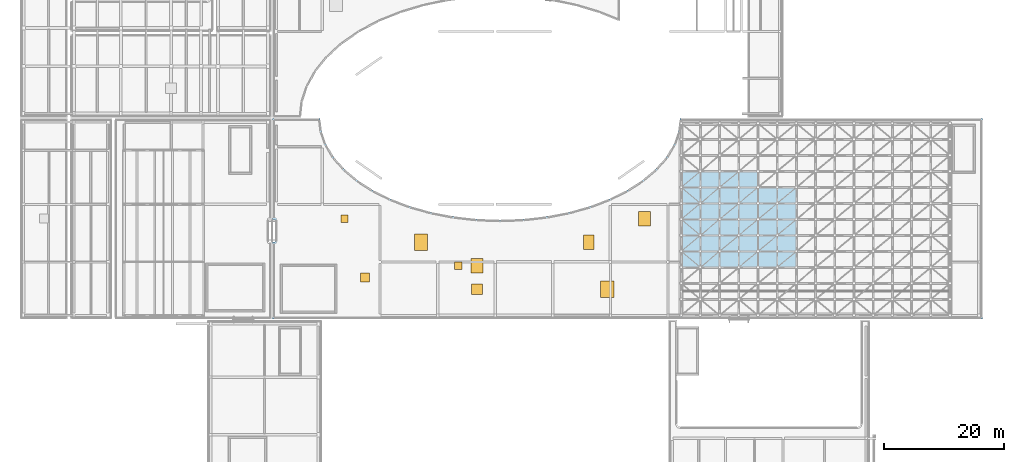
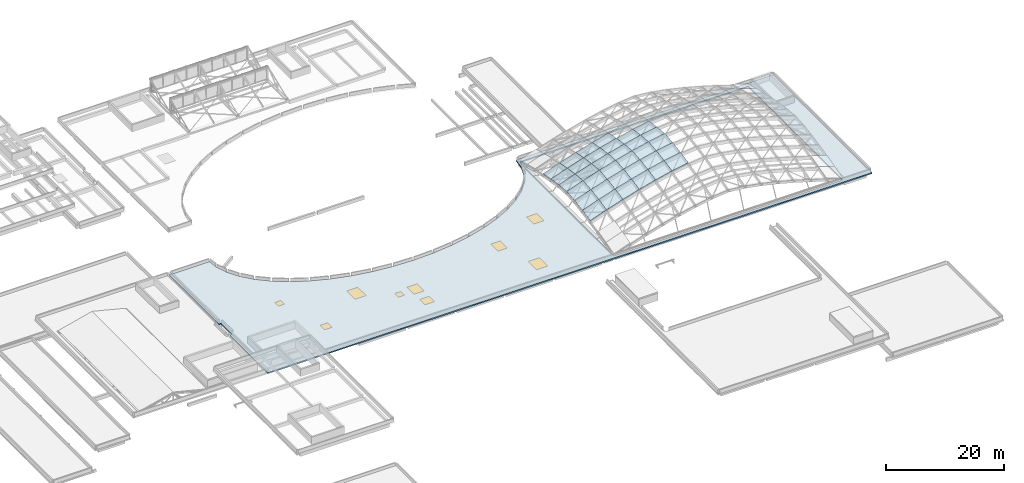
"""IFC4 building model written with IfcOpenShell, lengths in metres."""

from ifc_helpers import new_model, si_unit, direction, frame, origin, origin_2d, place, context, subcontext, project, spatial, polyline, rectangle, outline, extrude, material, layer, layer_set, type_object, element, fill, aggregate, save


model = new_model("IFC4")

# Units and contexts
model_context = context("Model", 3, precision=1e-05, world=origin(), true_north=direction((0.0, 1.0)))
body_context = subcontext(model_context, "Body", "Model", "MODEL_VIEW")
ifc_project = project(units=[si_unit("LENGTHUNIT", "METRE"), si_unit("AREAUNIT", "SQUARE_METRE"), si_unit("VOLUMEUNIT", "CUBIC_METRE"), si_unit("PLANEANGLEUNIT", "RADIAN"), si_unit("MASSUNIT", "GRAM", prefix="KILO")], contexts=[model_context])

# Site, building, storey
site_placement = place(None, origin())
site = spatial("IfcSite", under=ifc_project, at=site_placement, CompositionType="ELEMENT")
building_placement = place(site_placement, origin())
building = spatial("IfcBuilding", under=site, at=building_placement, Name="Mzevani Central Library", CompositionType="ELEMENT")
storey_1_placement = place(building_placement, frame((0.0, 0.0, 26.699951171875)))
storey_1 = spatial("IfcBuildingStorey", under=building, at=storey_1_placement, Name="RF", CompositionType="ELEMENT", Elevation=26.699951171875)

# Slab, openings
ifc_material_1 = material(Name="Precast concrete C40/50", Category="concrete")
ifc_layer_1 = layer(ifc_material_1, 0.260009765625, Name="Flat Thermal Roof Slab 260")
ifc_layer_set_1 = layer_set([ifc_layer_1], Name="Precast concrete C40/50")
slab_type_1 = type_object("IfcSlabType", Name="Flat Thermal Roof Slab 260", PredefinedType="ROOF", material=ifc_layer_set_1)
slab_1_placement = place(storey_1_placement, frame((0.0, 0.0, -13.159912109375)))
slab_1 = element("IfcSlab", 1, at=slab_1_placement, inside=storey_1, type_object=slab_type_1, Name="RF V1 Insulated Concrete Roof (L02 Top 1)", PredefinedType="ROOF", context=body_context, shape_type="SweptSolid", body=[
    extrude(outline(polyline([(55.022216796875, 71.596923828125), (56.28369140625, 69.48974609375), (58.019287109375, 67.493896484375), (60.199462890625, 65.6435546875), (62.786865234375, 63.970458984375), (65.7373046875, 62.503173828125), (69.0, 61.266845703125), (72.51953125, 60.28271484375), (76.2353515625, 59.5673828125), (80.084228515625, 59.13330078125), (84.0, 58.98779296875), (87.915771484375, 59.13330078125), (91.7646484375, 59.5673828125), (95.48046875, 60.28271484375), (99.0, 61.266845703125), (102.2626953125, 62.503173828125), (105.213134765625, 63.970458984375), (107.800537109375, 65.6435546875), (109.980712890625, 67.493896484375), (111.71630859375, 69.48974609375), (112.977783203125, 71.596923828125), (113.743408203125, 73.779296875), (113.98828125, 75.89990234375), (164.39990234375, 75.89990234375), (164.39990234375, 42.5), (46.10009765625, 42.5), (46.10009765625, 55.320068359375), (46.52001953125, 55.320068359375), (46.52001953125, 59.080078125), (46.10009765625, 59.080078125), (46.10009765625, 75.89990234375), (54.01171875, 75.89990234375), (54.256591796875, 73.779296875), (55.022216796875, 71.596923828125)]), holes=[polyline([(159.0, 43.10009765625), (159.0, 75.10009765625), (114.199951171875, 75.10009765625), (114.199951171875, 43.10009765625), (159.0, 43.10009765625)])]), origin(), (0.0, 0.0, 1.0), 0.260009765625),
])
opening_1_placement = place(slab_1_placement, frame((58.105712890625, 59.20751953125, 0.0)))
opening_1 = element("IfcOpeningElement", 2, at=opening_1_placement, cuts=slab_1, Name="Opening RH-01", PredefinedType="OPENING", context=body_context, shape_type="SweptSolid", body=[
    extrude(rectangle(XDim=1.199951171875, YDim=1.199951171875, at=origin_2d()), origin(), (0.0, 0.0, 1.0), 0.260009765625),
])
opening_2_placement = place(slab_1_placement, frame((80.14990234375, 51.371337890625, 0.0)))
opening_2 = element("IfcOpeningElement", 3, at=opening_2_placement, cuts=slab_1, Name="Opening SK-04", PredefinedType="OPENING", context=body_context, shape_type="SweptSolid", body=[
    extrude(rectangle(XDim=2.0, YDim=2.39990234375, at=origin_2d()), origin(), (0.0, 0.0, 1.0), 0.260009765625),
])
opening_3_placement = place(slab_1_placement, frame((101.885009765625, 47.45703125, 0.0)))
opening_3 = element("IfcOpeningElement", 4, at=opening_3_placement, cuts=slab_1, Name="Opening SK-05", PredefinedType="OPENING", context=body_context, shape_type="SweptSolid", body=[
    extrude(rectangle(XDim=2.199951171875, YDim=2.800048828125, at=origin_2d()), origin(), (0.0, 0.0, 1.0), 0.260009765625),
])
opening_4_placement = place(slab_1_placement, frame((77.044921875, 51.371337890625, 0.0)))
opening_4 = element("IfcOpeningElement", 5, at=opening_4_placement, cuts=slab_1, Name="Opening RH-01", PredefinedType="OPENING", context=body_context, shape_type="SweptSolid", body=[
    extrude(rectangle(XDim=1.199951171875, YDim=1.199951171875, at=origin_2d()), origin(), (0.0, 0.0, 1.0), 0.260009765625),
])
opening_5_placement = place(slab_1_placement, frame((61.52001953125, 49.414306640625, 0.0)))
opening_5 = element("IfcOpeningElement", 6, at=opening_5_placement, cuts=slab_1, Name="Opening SK-01", PredefinedType="OPENING", context=body_context, shape_type="SweptSolid", body=[
    extrude(rectangle(XDim=1.5, YDim=1.5, at=origin_2d()), origin(), (0.0, 0.0, 1.0), 0.260009765625),
])
opening_6_placement = place(slab_1_placement, frame((80.14990234375, 47.45703125, 0.0)))
opening_6 = element("IfcOpeningElement", 7, at=opening_6_placement, cuts=slab_1, Name="Opening SK-02", PredefinedType="OPENING", context=body_context, shape_type="SweptSolid", body=[
    extrude(rectangle(XDim=1.800048828125, YDim=1.800048828125, at=origin_2d()), origin(), (0.0, 0.0, 1.0), 0.260009765625),
])
opening_7_placement = place(slab_1_placement, frame((98.780029296875, 55.28564453125, 0.0)))
opening_7 = element("IfcOpeningElement", 8, at=opening_7_placement, cuts=slab_1, Name="Opening SK-03", PredefinedType="OPENING", context=body_context, shape_type="SweptSolid", body=[
    extrude(rectangle(XDim=1.800048828125, YDim=2.39990234375, at=origin_2d()), origin(), (0.0, 0.0, 1.0), 0.260009765625),
])
opening_8_placement = place(slab_1_placement, frame((108.094970703125, 59.199951171875, 0.0)))
opening_8 = element("IfcOpeningElement", 9, at=opening_8_placement, cuts=slab_1, Name="Opening SK-04", PredefinedType="OPENING", context=body_context, shape_type="SweptSolid", body=[
    extrude(rectangle(XDim=2.0, YDim=2.39990234375, at=origin_2d()), origin(), (0.0, 0.0, 1.0), 0.260009765625),
])
opening_9_placement = place(slab_1_placement, frame((70.8349609375, 55.28564453125, 0.0)))
opening_9 = element("IfcOpeningElement", 10, at=opening_9_placement, cuts=slab_1, Name="Opening SK-05", PredefinedType="OPENING", context=body_context, shape_type="SweptSolid", body=[
    extrude(rectangle(XDim=2.199951171875, YDim=2.800048828125, at=origin_2d()), origin(), (0.0, 0.0, 1.0), 0.260009765625),
])

# Storey
storey_2_placement = place(building_placement, frame((0.0, 0.0, 9.60009765625)))
storey_2 = spatial("IfcBuildingStorey", under=building, at=storey_2_placement, Name="L02", CompositionType="ELEMENT", Elevation=9.60009765625)

# Window
ifc_material_2 = material(Name="Low-E triple glazing glass", Category="glass")
window_type_1 = type_object("IfcWindowType", Name="Atrium Skylight 1800x1800", PartitioningType="SINGLE_PANEL", PredefinedType="SKYLIGHT", material=ifc_material_2)
window_1_placement = place(opening_6_placement, frame((0.0, 0.0, 0.2099609375)))
window_1 = element("IfcWindow", 11, at=window_1_placement, inside=storey_2, type_object=window_type_1, Name="L02 V1 SK-02 Roof Skylight (15)", OverallHeight=1.800048828125, OverallWidth=1.800048828125, PartitioningType="SINGLE_PANEL", PredefinedType="SKYLIGHT", context=body_context, shape_type="SweptSolid", body=[
    extrude(rectangle(XDim=1.800048828125, YDim=1.800048828125, at=origin_2d()), origin(), (0.0, 0.0, 1.0), 0.050048828125),
])

fill(opening_6, window_1)

window_type_2 = type_object("IfcWindowType", Name="Atrium Skylight 1800x2400", PartitioningType="SINGLE_PANEL", PredefinedType="SKYLIGHT", material=ifc_material_2)
window_2_placement = place(opening_7_placement, frame((0.0, 0.0, 0.2099609375)))
window_2 = element("IfcWindow", 12, at=window_2_placement, inside=storey_2, type_object=window_type_2, Name="L02 V1 SK-03 Roof Skylight (16)", OverallHeight=2.39990234375, OverallWidth=1.800048828125, PartitioningType="SINGLE_PANEL", PredefinedType="SKYLIGHT", context=body_context, shape_type="SweptSolid", body=[
    extrude(rectangle(XDim=1.800048828125, YDim=2.39990234375, at=origin_2d()), origin(), (0.0, 0.0, 1.0), 0.050048828125),
])

fill(opening_7, window_2)

window_type_3 = type_object("IfcWindowType", Name="Reading Northlight 2000x2400", PartitioningType="SINGLE_PANEL", PredefinedType="SKYLIGHT", material=ifc_material_2)
window_3_placement = place(opening_2_placement, frame((0.0, 0.0, 0.2099609375)))
window_3 = element("IfcWindow", 13, at=window_3_placement, inside=storey_2, type_object=window_type_3, Name="L02 V1 SK-04 Roof Skylight (11)", OverallHeight=2.39990234375, OverallWidth=2.0, PartitioningType="SINGLE_PANEL", PredefinedType="SKYLIGHT", context=body_context, shape_type="SweptSolid", body=[
    extrude(rectangle(XDim=2.0, YDim=2.39990234375, at=origin_2d()), origin(), (0.0, 0.0, 1.0), 0.050048828125),
])

fill(opening_2, window_3)

window_4_placement = place(opening_8_placement, frame((0.0, 0.0, 0.2099609375)))
window_4 = element("IfcWindow", 14, at=window_4_placement, inside=storey_2, type_object=window_type_3, Name="L02 V1 SK-04 Roof Skylight (17)", OverallHeight=2.39990234375, OverallWidth=2.0, PartitioningType="SINGLE_PANEL", PredefinedType="SKYLIGHT", context=body_context, shape_type="SweptSolid", body=[
    extrude(rectangle(XDim=2.0, YDim=2.39990234375, at=origin_2d()), origin(), (0.0, 0.0, 1.0), 0.050048828125),
])

fill(opening_8, window_4)

window_type_4 = type_object("IfcWindowType", Name="Reading Northlight 2200x2800", PartitioningType="SINGLE_PANEL", PredefinedType="SKYLIGHT", material=ifc_material_2)
window_5_placement = place(opening_3_placement, frame((0.0, 0.0, 0.2099609375)))
window_5 = element("IfcWindow", 15, at=window_5_placement, inside=storey_2, type_object=window_type_4, Name="L02 V1 SK-05 Roof Skylight (12)", OverallHeight=2.800048828125, OverallWidth=2.199951171875, PartitioningType="SINGLE_PANEL", PredefinedType="SKYLIGHT", context=body_context, shape_type="SweptSolid", body=[
    extrude(rectangle(XDim=2.199951171875, YDim=2.800048828125, at=origin_2d()), origin(), (0.0, 0.0, 1.0), 0.050048828125),
])

fill(opening_3, window_5)

window_6_placement = place(opening_9_placement, frame((0.0, 0.0, 0.2099609375)))
window_6 = element("IfcWindow", 16, at=window_6_placement, inside=storey_2, type_object=window_type_4, Name="L02 V1 SK-05 Roof Skylight (18)", OverallHeight=2.800048828125, OverallWidth=2.199951171875, PartitioningType="SINGLE_PANEL", PredefinedType="SKYLIGHT", context=body_context, shape_type="SweptSolid", body=[
    extrude(rectangle(XDim=2.199951171875, YDim=2.800048828125, at=origin_2d()), origin(), (0.0, 0.0, 1.0), 0.050048828125),
])

fill(opening_9, window_6)

window_type_5 = type_object("IfcWindowType", Name="Roof Access Hatch 1200x1200", PartitioningType="SINGLE_PANEL", PredefinedType="SKYLIGHT", material=ifc_material_2)
window_7_placement = place(opening_1_placement, frame((0.0, 0.0, 0.2099609375)))
window_7 = element("IfcWindow", 17, at=window_7_placement, inside=storey_2, type_object=window_type_5, Name="L02 V1 RH-01 Roof Hatch / Skylight (1)", OverallHeight=1.199951171875, OverallWidth=1.199951171875, PartitioningType="SINGLE_PANEL", PredefinedType="SKYLIGHT", context=body_context, shape_type="SweptSolid", body=[
    extrude(rectangle(XDim=1.199951171875, YDim=1.199951171875, at=origin_2d()), origin(), (0.0, 0.0, 1.0), 0.050048828125),
])

fill(opening_1, window_7)

window_8_placement = place(opening_4_placement, frame((0.0, 0.0, 0.2099609375)))
window_8 = element("IfcWindow", 18, at=window_8_placement, inside=storey_2, type_object=window_type_5, Name="L02 V1 RH-01 Roof Skylight (13)", OverallHeight=1.199951171875, OverallWidth=1.199951171875, PartitioningType="SINGLE_PANEL", PredefinedType="SKYLIGHT", context=body_context, shape_type="SweptSolid", body=[
    extrude(rectangle(XDim=1.199951171875, YDim=1.199951171875, at=origin_2d()), origin(), (0.0, 0.0, 1.0), 0.050048828125),
])

fill(opening_4, window_8)

window_type_6 = type_object("IfcWindowType", Name="Smoke Vent Skylight 1500x1500", PartitioningType="SINGLE_PANEL", PredefinedType="SKYLIGHT", material=ifc_material_2)
window_9_placement = place(opening_5_placement, frame((0.0, 0.0, 0.2099609375)))
window_9 = element("IfcWindow", 19, at=window_9_placement, inside=storey_2, type_object=window_type_6, Name="L02 V1 SK-01 Roof Skylight (14)", OverallHeight=1.5, OverallWidth=1.5, PartitioningType="SINGLE_PANEL", PredefinedType="SKYLIGHT", context=body_context, shape_type="SweptSolid", body=[
    extrude(rectangle(XDim=1.5, YDim=1.5, at=origin_2d()), origin(), (0.0, 0.0, 1.0), 0.050048828125),
])

fill(opening_5, window_9)

# Roof, slabs
ifc_material_3 = material(Name="Glulam GL28h", Category="wood")
roof_type = type_object("IfcRoofType", Name="Translational Gridshell Pavilion Roof", PredefinedType="PAVILION_ROOF", material=ifc_material_3)
roof_placement = place(storey_1_placement, origin())
roof = element("IfcRoof", 20, at=roof_placement, inside=storey_1, type_object=roof_type, Name="RF Volume V1 Main Reading Hall Translational Gridshell Roof", PredefinedType="PAVILION_ROOF")
ifc_layer_2 = layer(ifc_material_3, 0.179931640625, Name="Gridshell Roof Quad Slab 180")
ifc_layer_set_2 = layer_set([ifc_layer_2], Name="Glulam GL28h")
slab_type_2 = type_object("IfcSlabType", Name="Gridshell Roof Quad Slab 180", PredefinedType="ROOF", material=ifc_layer_set_2)
slab_2_placement = place(storey_1_placement, frame((114.199951171875, 51.10009765625, -10.47119140625), z_axis=(-0.325326246009, -0.181205348817, 0.928077289463), x_axis=(0.943700346003, -6.054259e-06, 0.330801537053)))
slab_2 = element("IfcSlab", 21, at=slab_2_placement, type_object=slab_type_2, Name="RF Gridshell Roof Panel 1.4", PredefinedType="ROOF", context=body_context, shape_type="SweptSolid", body=[
    extrude(outline(polyline([(0.0, 0.0), (3.390816087960579, 2.7755575615628914e-17), (3.563065490773048, 2.7114121429849023), (0.17216864071846177, 2.7113703935903746), (0.0, 0.0)])), origin(), (0.0, 0.0, -1.0), 0.179931640625),
])
slab_3_placement = place(storey_1_placement, frame((114.199951171875, 53.7666015625, -9.95068359375), z_axis=(-0.327333892519, -0.144434945204, 0.933804620578), x_axis=(0.943699742543, 4.855386e-06, 0.3308032586)))
slab_3 = element("IfcSlab", 22, at=slab_3_placement, type_object=slab_type_2, Name="RF Gridshell Roof Panel 1.5", PredefinedType="ROOF", context=body_context, shape_type="SweptSolid", body=[
    extrude(outline(polyline([(0.0, 0.0), (3.3908968502881685, 0.0), (3.5273176850437755, 2.6949897792405126), (0.1365015972699139, 2.69502305600596), (0.0, 0.0)])), origin(), (0.0, 0.0, -1.0), 0.179931640625),
])
slab_4_placement = place(storey_1_placement, frame((114.199951171875, 56.433349609375, -9.5380859375), z_axis=(-0.329633974953, -0.083981253219, 0.94036620083), x_axis=(0.94370005626, -2.843054e-06, 0.330802363665)))
slab_4 = element("IfcSlab", 23, at=slab_4_placement, type_object=slab_type_2, Name="RF Gridshell Roof Panel 1.6", PredefinedType="ROOF", context=body_context, shape_type="SweptSolid", body=[
    extrude(outline(polyline([(0.0, 0.0), (3.3908160879101263, 0.0), (3.469632506917219, 2.67621207278705), (0.07873565671127615, 2.6761927236536143), (0.0, 0.0)])), origin(), (0.0, 0.0, -1.0), 0.179931640625),
])
slab_5_placement = place(storey_1_placement, frame((114.199951171875, 59.10009765625, -9.300048828125), z_axis=(-0.329633762084, 0.083988888164, 0.940365593564), x_axis=(0.943699897721, -2.843243e-06, 0.33080281594)))
slab_5 = element("IfcSlab", 24, at=slab_5_placement, type_object=slab_type_2, Name="RF Gridshell Roof Panel 1.7", PredefinedType="ROOF", context=body_context, shape_type="SweptSolid", body=[
    extrude(outline(polyline([(0.0, 0.0), (3.390896850261151, 2.7755575615628914e-17), (3.3120651602557194, 2.675968345781028), (-0.07875092759919575, 2.6759489953494016), (0.0, 0.0)])), origin(), (0.0, 0.0, -1.0), 0.179931640625),
])
slab_6_placement = place(storey_1_placement, frame((114.199951171875, 61.7666015625, -9.5380859375), z_axis=(-0.327333892519, 0.144434945204, 0.933804620578), x_axis=(0.943700211441, 4.855502e-06, 0.330801920948)))
slab_6 = element("IfcSlab", 25, at=slab_6_placement, type_object=slab_type_2, Name="RF Gridshell Roof Panel 1.8", PredefinedType="ROOF", context=body_context, shape_type="SweptSolid", body=[
    extrude(outline(polyline([(0.0, 0.0), (3.3908160879371474, -2.7755575615628914e-17), (3.254421701258557, 2.694991117916498), (-0.13647514886632253, 2.69502439547453), (0.0, 0.0)])), origin(), (0.0, 0.0, -1.0), 0.179931640625),
])
slab_7_placement = place(storey_1_placement, frame((114.199951171875, 64.433349609375, -9.95068359375), z_axis=(-0.325327223924, 0.181189304123, 0.92808007922), x_axis=(0.943699608036, -6.053597e-06, 0.330803642295)))
slab_7 = element("IfcSlab", 26, at=slab_7_placement, type_object=slab_type_2, Name="RF Gridshell Roof Panel 1.9", PredefinedType="ROOF", context=body_context, shape_type="SweptSolid", body=[
    extrude(outline(polyline([(0.0, 0.0), (3.390896850311588, 2.7755575615628914e-17), (3.218614064068146, 2.7116501195627123), (-0.17220202363545967, 2.7116083748591278), (0.0, 0.0)])), origin(), (0.0, 0.0, -1.0), 0.179931640625),
])
slab_8_placement = place(storey_1_placement, frame((117.39990234375, 51.10009765625, -9.349609375), z_axis=(-0.303982040755, -0.182561305965, 0.935022079131), x_axis=(0.951003851559, 6.192154e-06, 0.309179032734)))
slab_8 = element("IfcSlab", 27, at=slab_8_placement, type_object=slab_type_2, Name="RF Gridshell Roof Panel 2.4", PredefinedType="ROOF", context=body_context, shape_type="SweptSolid", body=[
    extrude(outline(polyline([(0.0, 0.0), (3.3651073056012373, 2.7755575615628914e-17), (3.5260539190027864, 2.7120596673980155), (0.16102209656383762, 2.7121020537805385), (0.0, 0.0)])), origin(), (0.0, 0.0, -1.0), 0.179931640625),
])
slab_9_placement = place(storey_1_placement, frame((117.39990234375, 53.7666015625, -8.828857421875), z_axis=(-0.305886413838, -0.145529283219, 0.940879763602), x_axis=(0.951004432947, -4.967129e-06, 0.309177244457)))
slab_9 = element("IfcSlab", 28, at=slab_9_placement, type_object=slab_type_2, Name="RF Gridshell Roof Panel 2.5", PredefinedType="ROOF", context=body_context, shape_type="SweptSolid", body=[
    extrude(outline(polyline([(0.0, 0.0), (3.365031822681572, 5.551115123125783e-17), (3.4925843830299907, 2.6954614266599815), (0.12747707762272137, 2.695427637472276), (0.0, 0.0)])), origin(), (0.0, 0.0, -1.0), 0.179931640625),
])
slab_10_placement = place(storey_1_placement, frame((117.39990234375, 56.433349609375, -8.41650390625), z_axis=(-0.308068835331, -0.084626629993, 0.947592700581), x_axis=(0.951004130671, 2.908974e-06, 0.30917817426)))
slab_10 = element("IfcSlab", 29, at=slab_10_placement, type_object=slab_type_2, Name="RF Gridshell Roof Panel 2.6", PredefinedType="ROOF", context=body_context, shape_type="SweptSolid", body=[
    extrude(outline(polyline([(0.0, 0.0), (3.36510730554884, 1.3877787807814457e-17), (3.438710941933246, 2.676338786903107), (0.07367911933710633, 2.6763584351888796), (0.0, 0.0)])), origin(), (0.0, 0.0, -1.0), 0.179931640625),
])
slab_11_placement = place(storey_1_placement, frame((117.39990234375, 59.10009765625, -8.17822265625), z_axis=(-0.308068633318, 0.084634322767, 0.947592079207), x_axis=(0.951004283459, 2.909302e-06, 0.309177704296)))
slab_11 = element("IfcSlab", 30, at=slab_11_placement, type_object=slab_type_2, Name="RF Gridshell Roof Panel 2.7", PredefinedType="ROOF", context=body_context, shape_type="SweptSolid", body=[
    extrude(outline(polyline([(0.0, 0.0), (3.3650318226535054, -4.163336342344337e-17), (3.291443813305123, 2.676095951005129), (-0.07366349218634527, 2.6761156015177616), (0.0, 0.0)])), origin(), (0.0, 0.0, -1.0), 0.179931640625),
])
slab_12_placement = place(storey_1_placement, frame((117.39990234375, 61.7666015625, -8.41650390625), z_axis=(-0.305886413838, 0.145529283219, 0.940879763602), x_axis=(0.951003981156, -4.967017e-06, 0.309178634127)))
slab_12 = element("IfcSlab", 31, at=slab_12_placement, type_object=slab_type_2, Name="RF Gridshell Roof Panel 2.8", PredefinedType="ROOF", context=body_context, shape_type="SweptSolid", body=[
    extrude(outline(polyline([(0.0, 0.0), (3.3651073055769083, 2.7755575615628914e-17), (3.2375276799903885, 2.6954601457633354), (-0.12750414252154751, 2.6954263573335564), (0.0, 0.0)])), origin(), (0.0, 0.0, -1.0), 0.179931640625),
])
slab_13_placement = place(storey_1_placement, frame((117.39990234375, 64.433349609375, -8.828857421875), z_axis=(-0.303982968237, 0.182545149451, 0.935024931985), x_axis=(0.951004562471, 6.191764e-06, 0.30917684603)))
slab_13 = element("IfcSlab", 32, at=slab_13_placement, type_object=slab_type_2, Name="RF Gridshell Roof Panel 2.9", PredefinedType="ROOF", context=body_context, shape_type="SweptSolid", body=[
    extrude(outline(polyline([(0.0, 0.0), (3.3650318227058893, -2.7755575615628914e-17), (3.204119370776679, 2.7123017343525095), (-0.16098793455763566, 2.7123441179345837), (0.0, 0.0)])), origin(), (0.0, 0.0, -1.0), 0.179931640625),
])
slab_14_placement = place(storey_1_placement, frame((120.60009765625, 51.10009765625, -8.30908203125), z_axis=(-0.279830322887, -0.183973944271, 0.942257172019), x_axis=(0.958620074474, -6.33933e-06, 0.284688518868)))
slab_14 = element("IfcSlab", 33, at=slab_14_placement, type_object=slab_type_2, Name="RF Gridshell Roof Panel 3.4", PredefinedType="ROOF", context=body_context, shape_type="SweptSolid", body=[
    extrude(outline(polyline([(0.0, 0.0), (3.3380471268469507, 0.0), (3.4862823252313313, 2.7128309920560807), (0.14816569435145388, 2.712787934709866), (0.0, 0.0)])), origin(), (0.0, 0.0, -1.0), 0.179931640625),
])
slab_15_placement = place(storey_1_placement, frame((120.60009765625, 53.7666015625, -7.78857421875), z_axis=(-0.28161088691, -0.146669692345, 0.948252766788), x_axis=(0.958619522002, 5.085961e-06, 0.284690379202)))
slab_15 = element("IfcSlab", 34, at=slab_15_placement, type_object=slab_type_2, Name="RF Gridshell Roof Panel 3.5", PredefinedType="ROOF", context=body_context, shape_type="SweptSolid", body=[
    extrude(outline(polyline([(0.0, 0.0), (3.3381166311322708, 0.0), (3.455523272838117, 2.6958850558665146), (0.11747614619295567, 2.6959193817937868), (0.0, 0.0)])), origin(), (0.0, 0.0, -1.0), 0.179931640625),
])
slab_16_placement = place(storey_1_placement, frame((120.60009765625, 56.433349609375, -7.3759765625), z_axis=(-0.283652066301, -0.085299398728, 0.95512591728), x_axis=(0.958619809314, -2.979368e-06, 0.284689411785)))
slab_16 = element("IfcSlab", 35, at=slab_16_placement, type_object=slab_type_2, Name="RF Gridshell Roof Panel 3.6", PredefinedType="ROOF", context=body_context, shape_type="SweptSolid", body=[
    extrude(outline(polyline([(0.0, 0.0), (3.3380471267924516, 0.0), (3.4058753304697373, 2.6765131086556044), (0.06775869942636147, 2.6764931451452414), (0.0, 0.0)])), origin(), (0.0, 0.0, -1.0), 0.179931640625),
])
slab_17_placement = place(storey_1_placement, frame((120.60009765625, 59.10009765625, -7.137939453125), z_axis=(-0.28365187733, 0.085307151766, 0.955125280968), x_axis=(0.958619664072, -2.979575e-06, 0.284689900851)))
slab_17 = element("IfcSlab", 36, at=slab_17_placement, type_object=slab_type_2, Name="RF Gridshell Roof Panel 3.7", PredefinedType="ROOF", context=body_context, shape_type="SweptSolid", body=[
    extrude(outline(polyline([(0.0, 0.0), (3.338116631103074, 0.0), (3.270272420617443, 2.6762694531115243), (-0.0677747061153066, 2.676249488202343), (0.0, 0.0)])), origin(), (0.0, 0.0, -1.0), 0.179931640625),
])
slab_18_placement = place(storey_1_placement, frame((120.60009765625, 61.7666015625, -7.3759765625), z_axis=(-0.28161088691, 0.146669692345, 0.948252766788), x_axis=(0.958619951382, 5.086067e-06, 0.284688933374)))
slab_18 = element("IfcSlab", 37, at=slab_18_placement, type_object=slab_type_2, Name="RF Gridshell Roof Panel 3.8", PredefinedType="ROOF", context=body_context, shape_type="SweptSolid", body=[
    extrude(outline(polyline([(0.0, 0.0), (3.3380471268216514, 0.0), (3.220668207544989, 2.695886263044213), (-0.11744842341078741, 2.695920589686214), (0.0, 0.0)])), origin(), (0.0, 0.0, -1.0), 0.179931640625),
])
slab_19_placement = place(storey_1_placement, frame((120.60009765625, 64.433349609375, -7.78857421875), z_axis=(-0.279831189944, 0.183957671461, 0.942260091612), x_axis=(0.958619398958, -6.338657e-06, 0.284690793494)))
slab_19 = element("IfcSlab", 38, at=slab_19_placement, type_object=slab_type_2, Name="RF Gridshell Roof Panel 3.9", PredefinedType="ROOF", context=body_context, shape_type="SweptSolid", body=[
    extrude(outline(polyline([(0.0, 0.0), (3.338116631157557, -2.7755575615628914e-17), (3.189846440807673, 2.713069051760143), (-0.1482006857616284, 2.71302599911886), (0.0, 0.0)])), origin(), (0.0, 0.0, -1.0), 0.179931640625),
])
slab_20_placement = place(storey_1_placement, frame((123.800048828125, 51.10009765625, -7.35888671875), z_axis=(-0.25182400718, -0.185495895423, 0.949829427944), x_axis=(0.966604816788, 0.0, 0.256271590626)))
slab_20 = element("IfcSlab", 39, at=slab_20_placement, type_object=slab_type_2, Name="RF Gridshell Roof Panel 4.4", PredefinedType="ROOF", context=body_context, shape_type="SweptSolid", body=[
    extrude(outline(polyline([(0.0, 0.0), (3.3105061306316914, -2.7755575615628914e-17), (3.4439600619807718, 2.71359829874237), (0.13345393134908026, 2.71359829874237), (0.0, 0.0)])), origin(), (0.0, 0.0, -1.0), 0.179931640625),
])
slab_21_placement = place(storey_1_placement, frame((123.800048828125, 53.7666015625, -6.838134765625), z_axis=(-0.25348867127, -0.147863446217, 0.955970655831), x_axis=(0.96659588189, -5.2122e-06, 0.256305288836)))
slab_21 = element("IfcSlab", 40, at=slab_21_placement, type_object=slab_type_2, Name="RF Gridshell Roof Panel 4.5", PredefinedType="ROOF", context=body_context, shape_type="SweptSolid", body=[
    extrude(outline(polyline([(0.0, 0.0), (3.3105061285749255, 0.0), (3.4162431904100083, 2.6964053166375477), (0.10567448730167531, 2.696370422711906), (0.0, 0.0)])), origin(), (0.0, 0.0, -1.0), 0.179931640625),
])
slab_22_placement = place(storey_1_placement, frame((123.800048828125, 56.433349609375, -6.42578125), z_axis=(-0.255356377405, -0.086003882126, 0.963014253673), x_axis=(0.966595614601, 3.053924e-06, 0.256306296888)))
slab_22 = element("IfcSlab", 41, at=slab_22_placement, type_object=slab_type_2, Name="RF Gridshell Roof Panel 4.6", PredefinedType="ROOF", context=body_context, shape_type="SweptSolid", body=[
    extrude(outline(polyline([(0.0, 0.0), (3.310568703261807, 0.0), (3.3715872573333567, 2.6766552884506747), (0.061081128851063184, 2.676675583908551), (0.0, 0.0)])), origin(), (0.0, 0.0, -1.0), 0.179931640625),
])
slab_23_placement = place(storey_1_placement, frame((123.800048828125, 59.10009765625, -6.1875), z_axis=(-0.255356204463, 0.086011698245, 0.963013601465), x_axis=(0.966595749753, 3.054257e-06, 0.256305787197)))
slab_23 = element("IfcSlab", 42, at=slab_23_placement, type_object=slab_type_2, Name="RF Gridshell Roof Panel 4.7", PredefinedType="ROOF", context=body_context, shape_type="SweptSolid", body=[
    extrude(outline(polyline([(0.0, 0.0), (3.3105061285445077, 0.0), (3.2495039840328035, 2.6764124256234916), (-0.061064719166781724, 2.6764327233094964), (0.0, 0.0)])), origin(), (0.0, 0.0, -1.0), 0.179931640625),
])
slab_24_placement = place(storey_1_placement, frame((123.800048828125, 61.7666015625, -6.42578125), z_axis=(-0.25348867127, 0.147863446217, 0.955970655831), x_axis=(0.966595482436, -5.212101e-06, 0.25630679528)))
slab_24 = element("IfcSlab", 43, at=slab_24_placement, type_object=slab_type_2, Name="RF Gridshell Roof Panel 4.8", PredefinedType="ROOF", context=body_context, shape_type="SweptSolid", body=[
    extrude(outline(polyline([(0.0, 0.0), (3.310568703292226, -1.3877787807814457e-17), (3.204803220918074, 2.696404202002161), (-0.10570290747296081, 2.6963693087360663), (0.0, 0.0)])), origin(), (0.0, 0.0, -1.0), 0.179931640625),
])
slab_25_placement = place(storey_1_placement, frame((123.800048828125, 64.433349609375, -6.838134765625), z_axis=(-0.251824800422, 0.185479497541, 0.949832419895), x_axis=(0.966604816788, 0.0, 0.256271590626)))
slab_25 = element("IfcSlab", 44, at=slab_25_placement, type_object=slab_type_2, Name="RF Gridshell Roof Panel 4.9", PredefinedType="ROOF", context=body_context, shape_type="SweptSolid", body=[
    extrude(outline(polyline([(0.0, 0.0), (3.3105061306316914, 2.7755575615628914e-17), (3.177052199282611, 2.713838202694222), (-0.13345393134908026, 2.713838202694222), (0.0, 0.0)])), origin(), (0.0, 0.0, -1.0), 0.179931640625),
])
slab_26_placement = place(storey_1_placement, frame((127.0, 51.10009765625, -6.510498046875), z_axis=(-0.218135658963, -0.18705715009, 0.957823813073), x_axis=(0.975034107954, 0.0, 0.222055147039)))
slab_26 = element("IfcSlab", 45, at=slab_26_placement, type_object=slab_type_2, Name="RF Gridshell Roof Panel 5.4", PredefinedType="ROOF", context=body_context, shape_type="SweptSolid", body=[
    extrude(outline(polyline([(0.0, 0.0), (3.2818863932771944, 0.0), (3.3975220447992984, 2.714415973064385), (0.11563565152210388, 2.7144159730643844), (0.0, 0.0)])), origin(), (0.0, 0.0, -1.0), 0.179931640625),
])
slab_27_placement = place(storey_1_placement, frame((127.0, 53.7666015625, -5.98974609375), z_axis=(-0.219537174216, -0.1491269201, 0.964139300536), x_axis=(0.975041981474, 5.347889e-06, 0.222020571872)))
slab_27 = element("IfcSlab", 46, at=slab_27_placement, type_object=slab_type_2, Name="RF Gridshell Roof Panel 5.5", PredefinedType="ROOF", context=body_context, shape_type="SweptSolid", body=[
    extrude(outline(polyline([(0.0, 0.0), (3.281886391166885, 0.0), (3.3734516159906076, 2.696886420135508), (0.09161942906490227, 2.6969219191183216), (0.0, 0.0)])), origin(), (0.0, 0.0, -1.0), 0.179931640625),
])
slab_28_placement = place(storey_1_placement, frame((127.0, 56.433349609375, -5.5771484375), z_axis=(-0.221182800061, -0.086749785174, 0.971366379761), x_axis=(0.975042221146, -3.134333e-06, 0.222019519351)))
slab_28 = element("IfcSlab", 47, at=slab_28_placement, type_object=slab_type_2, Name="RF Gridshell Roof Panel 5.6", PredefinedType="ROOF", context=body_context, shape_type="SweptSolid", body=[
    extrude(outline(polyline([(0.0, 0.0), (3.281832187085942, 0.0), (3.3347269172042724, 2.6768498712252926), (0.05284052613411407, 2.6768292204937305), (0.0, 0.0)])), origin(), (0.0, 0.0, -1.0), 0.179931640625),
])
slab_29_placement = place(storey_1_placement, frame((127.0, 59.10009765625, -5.339111328125), z_axis=(-0.221182647654, 0.086757668058, 0.971365710436), x_axis=(0.975042099944, -3.134564e-06, 0.222020051634)))
slab_29 = element("IfcSlab", 48, at=slab_29_placement, type_object=slab_type_2, Name="RF Gridshell Roof Panel 5.7", PredefinedType="ROOF", context=body_context, shape_type="SweptSolid", body=[
    extrude(outline(polyline([(0.0, 0.0), (3.281886391135132, -1.3877787807814457e-17), (3.2289748173792954, 2.6766063191008764), (-0.052857369641667595, 2.676585666833899), (0.0, 0.0)])), origin(), (0.0, 0.0, -1.0), 0.179931640625),
])
slab_30_placement = place(storey_1_placement, frame((127.0, 61.7666015625, -5.5771484375), z_axis=(-0.219537174216, 0.1491269201, 0.964139300536), x_axis=(0.97504233961, 5.347977e-06, 0.222018999052)))
slab_30 = element("IfcSlab", 49, at=slab_30_placement, type_object=slab_type_2, Name="RF Gridshell Roof Panel 5.8", PredefinedType="ROOF", context=body_context, shape_type="SweptSolid", body=[
    extrude(outline(polyline([(0.0, 0.0), (3.2818321871176983, 1.3877787807814457e-17), (3.1902961340300062, 2.6968874104221445), (-0.0915902569448825, 2.6969229099912737), (0.0, 0.0)])), origin(), (0.0, 0.0, -1.0), 0.179931640625),
])
slab_31_placement = place(storey_1_placement, frame((130.199951171875, 51.10009765625, -5.78173828125), z_axis=(-0.174307610706, -0.188738656976, 0.966433948189), x_axis=(0.984121212692, 0.0, 0.177497714718)))
slab_31 = element("IfcSlab", 50, at=slab_31_placement, type_object=slab_type_2, Name="RF Gridshell Roof Panel 6.4", PredefinedType="ROOF", context=body_context, shape_type="SweptSolid", body=[
    extrude(outline(polyline([(0.0, 0.0), (3.251582356529337, 0.0), (3.344014638143747, 2.715305130560019), (0.09243228161441013, 2.7153051305600195), (0.0, 0.0)])), origin(), (0.0, 0.0, -1.0), 0.179931640625),
])
slab_32_placement = place(storey_1_placement, frame((130.199951171875, 53.7666015625, -5.260986328125), z_axis=(-0.175512415294, -0.150483223718, 0.97290811049), x_axis=(0.984114802803, -5.49636e-06, 0.177533250051)))
slab_32 = element("IfcSlab", 51, at=slab_32_placement, type_object=slab_type_2, Name="RF Gridshell Roof Panel 6.5", PredefinedType="ROOF", context=body_context, shape_type="SweptSolid", body=[
    extrude(outline(polyline([(0.0, 0.0), (3.2515823543604396, -1.3877787807814457e-17), (3.3248174998292943, 2.6974837480174148), (0.07319180239022861, 2.6974475923209518), (0.0, 0.0)])), origin(), (0.0, 0.0, -1.0), 0.179931640625),
])
slab_33_placement = place(storey_1_placement, frame((130.199951171875, 56.433349609375, -4.8486328125), z_axis=(-0.176852352387, -0.087550808719, 0.980335708494), x_axis=(0.984114604006, 3.222141e-06, 0.17753435209)))
slab_33 = element("IfcSlab", 52, at=slab_33_placement, type_object=slab_type_2, Name="RF Gridshell Roof Panel 6.6", PredefinedType="ROOF", context=body_context, shape_type="SweptSolid", body=[
    extrude(outline(polyline([(0.0, 0.0), (3.251625697606835, -6.938893903907228e-18), (3.293894054230259, 2.677017030700161), (0.0423116999711021, 2.67703806572448), (0.0, 0.0)])), origin(), (0.0, 0.0, -1.0), 0.179931640625),
])
slab_34_placement = place(storey_1_placement, frame((130.199951171875, 59.10009765625, -4.6103515625), z_axis=(-0.176852228265, 0.087558763272, 0.980335020456), x_axis=(0.984114704567, 3.222474e-06, 0.177533794655)))
slab_34 = element("IfcSlab", 53, at=slab_34_placement, type_object=slab_type_2, Name="RF Gridshell Roof Panel 6.7", PredefinedType="ROOF", context=body_context, shape_type="SweptSolid", body=[
    extrude(outline(polyline([(0.0, 0.0), (3.2515823543272, 0.0), (3.209331315770816, 2.6767741000887915), (-0.04229438176796974, 2.6767951373046976), (0.0, 0.0)])), origin(), (0.0, 0.0, -1.0), 0.179931640625),
])
slab_35_placement = place(storey_1_placement, frame((130.199951171875, 61.7666015625, -4.8486328125), z_axis=(-0.175512415294, 0.150483223718, 0.97290811049), x_axis=(0.984114505742, -5.496287e-06, 0.177534896734)))
slab_35 = element("IfcSlab", 54, at=slab_35_placement, type_object=slab_type_2, Name="RF Gridshell Roof Panel 6.8", PredefinedType="ROOF", context=body_context, shape_type="SweptSolid", body=[
    extrude(outline(polyline([(0.0, 0.0), (3.2516256976400784, -1.3877787807814457e-17), (3.178360558131948, 2.697482933529474), (-0.07322179602748279, 2.6974467783149563), (0.0, 0.0)])), origin(), (0.0, 0.0, -1.0), 0.179931640625),
])
aggregate(roof, [slab_2, slab_3, slab_4, slab_5, slab_6, slab_7, slab_8, slab_9, slab_10, slab_11, slab_12, slab_13, slab_14, slab_15, slab_16, slab_17, slab_18, slab_19, slab_20, slab_21, slab_22, slab_23, slab_24, slab_25, slab_26, slab_27, slab_28, slab_29, slab_30, slab_31, slab_32, slab_33, slab_34, slab_35])

save(model, "model.ifc")
